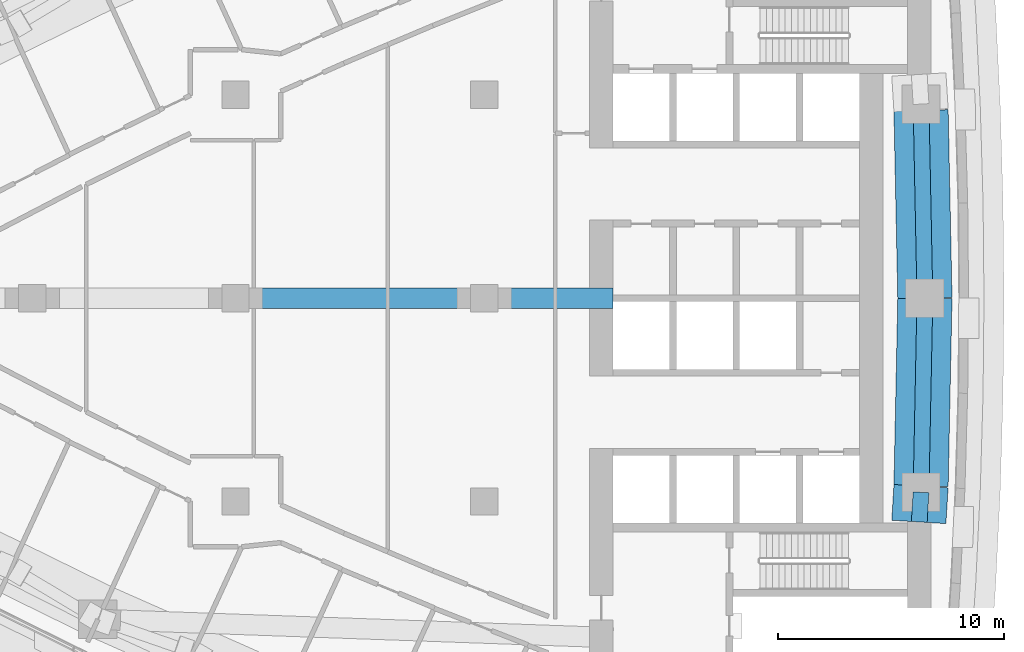
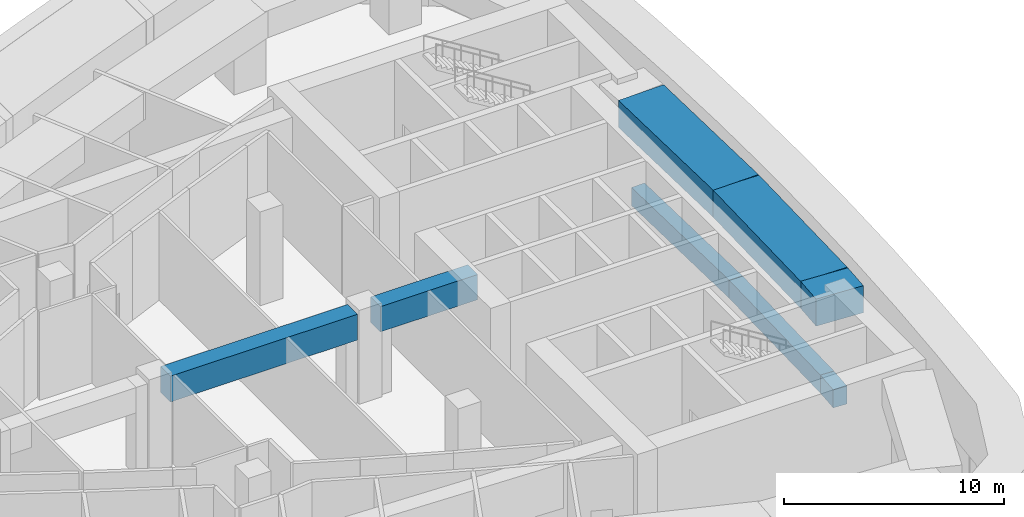
# One storey, part 5 of 19: 8 beams.
"""IFC4 building model written with IfcOpenShell, lengths in metres."""

from ifc_helpers import new_model, si_unit, direction, frame, origin, origin_2d, place, context, subcontext, project, spatial, rectangle, extrude, material, material_profile, profile_set, type_object, element, save


model = new_model("IFC4")

# Units and contexts
model_context = context("Model", 3, precision=1e-05, world=origin(), true_north=direction((0.0, 1.0)))
body_context = subcontext(model_context, "Body", "Model", "MODEL_VIEW")
ifc_project = project(units=[si_unit("LENGTHUNIT", "METRE"), si_unit("AREAUNIT", "SQUARE_METRE"), si_unit("VOLUMEUNIT", "CUBIC_METRE"), si_unit("PLANEANGLEUNIT", "RADIAN"), si_unit("MASSUNIT", "GRAM", prefix="KILO")], contexts=[model_context])

# Site, building, storey
site_placement = place(None, origin())
site = spatial("IfcSite", under=ifc_project, at=site_placement, CompositionType="ELEMENT")
building_placement = place(site_placement, origin())
building = spatial("IfcBuilding", under=site, at=building_placement, Name="Ostrand Prow Hotel Tower", CompositionType="ELEMENT")
storey_placement = place(building_placement, frame((0.0, 0.0, 120.39990234375)))
storey = spatial("IfcBuildingStorey", under=building, at=storey_placement, Name="L29", CompositionType="ELEMENT", Elevation=120.39990234375)

# Beams
ifc_material_1 = material(Name="Concrete C80/95", Category="concrete")
ifc_material_profile_1 = material_profile(ifc_material_1, rectangle(XDim=2.39990234375, YDim=1.5, at=origin_2d()), Name="RC 2400x1500")
ifc_profile_set_1 = profile_set([ifc_material_profile_1], Name="Concrete C80/95")
beam_type_1 = type_object("IfcBeamType", Name="Belt girder 2400x1500 C80/95", PredefinedType="BEAM", material=ifc_profile_set_1)
beam_1_placement = place(storey_placement, frame((64.231689453125, -9.89990234375, 4.150146484375), z_axis=(0.061563802627, 0.998103150083, 0.0), x_axis=(-0.998103150083, 0.061563802627, 0.0)))
element("IfcBeam", 1, at=beam_1_placement, inside=storey, type_object=beam_type_1, Name="Belt girder B1-B2", PredefinedType="BEAM", context=body_context, shape_type="SweptSolid", body=[
    extrude(rectangle(XDim=2.39990234375, YDim=1.5, at=origin_2d()), origin(), (0.0, 0.0, 1.0), 1.586181640625),
])
for number, where, z_axis, x_axis, name in (
    (2, (64.329345703125, -8.316650390625, 4.150146484375), (0.020515276329, 0.999789539572, 0.0), (-0.999789539572, 0.020515276329, 0.0), "Belt girder B2-B3"),
    (3, (64.5, 0.0, 4.150146484375), (-0.020515276329, 0.999789539572, 0.0), (-0.999789539572, -0.020515276329, 0.0), "Belt girder B3-B4"),
):
    element("IfcBeam", number, at=place(storey_placement, frame(where, z_axis=z_axis, x_axis=x_axis)), inside=storey, type_object=beam_type_1, Name=name, PredefinedType="BEAM", context=body_context, shape_type="SweptSolid", body=[
        extrude(rectangle(XDim=2.39990234375, YDim=1.5, at=origin_2d()), origin(), (0.0, 0.0, 1.0), 8.318359375),
    ])
ifc_material_2 = material(Name="Concrete C80/95", Category="concrete")
ifc_material_profile_2 = material_profile(ifc_material_2, rectangle(XDim=0.699951171875, YDim=1.0, at=origin_2d()), Name="RC 700x1000")
ifc_profile_set_2 = profile_set([ifc_material_profile_2], Name="Concrete C80/95")
beam_type_2 = type_object("IfcBeamType", Name="Edge beam 700x1000 C80/95", PredefinedType="SPANDREL", material=ifc_profile_set_2)
beam_2_placement = place(storey_placement, frame((64.25048828125, -9.89990234375, -0.89990234375), z_axis=(0.059658953766, 0.998218818314, 0.0), x_axis=(-0.998218818314, 0.059658953766, 0.0)))
element("IfcBeam", 4, at=beam_2_placement, inside=storey, type_object=beam_type_2, Name="Edge beam B1-B2", PredefinedType="SPANDREL", context=body_context, shape_type="SweptSolid", body=[
    extrude(rectangle(XDim=0.699951171875, YDim=1.0, at=origin_2d()), origin(), (0.0, 0.0, 1.0), 1.313720703125),
])
for number, where, z_axis, x_axis, name in (
    (5, (64.328857421875, -8.588623046875, -0.89990234375), (0.019922705812, 0.9998015232, 0.0), (-0.9998015232, 0.019922705812, 0.0), "Edge beam B2-B3"),
    (6, (64.5, 0.0, -0.89990234375), (-0.019922705812, 0.9998015232, 0.0), (-0.9998015232, -0.019922705812, 0.0), "Edge beam B3-B4"),
):
    element("IfcBeam", number, at=place(storey_placement, frame(where, z_axis=z_axis, x_axis=x_axis)), inside=storey, type_object=beam_type_2, Name=name, PredefinedType="SPANDREL", context=body_context, shape_type="SweptSolid", body=[
        extrude(rectangle(XDim=0.699951171875, YDim=1.0, at=origin_2d()), origin(), (0.0, 0.0, 1.0), 8.59033203125),
    ])
ifc_material_3 = material(Name="Concrete C80/95", Category="concrete")
ifc_material_profile_3 = material_profile(ifc_material_3, rectangle(XDim=0.89990234375, YDim=1.39990234375, at=origin_2d()), Name="RC 900x1400")
ifc_profile_set_3 = profile_set([ifc_material_profile_3], Name="Concrete C80/95")
beam_type_3 = type_object("IfcBeamType", Name="Outrigger lintel 900x1400 C80/95", PredefinedType="LINTEL", material=ifc_profile_set_3)
beam_3_placement = place(storey_placement, frame((45.60009765625, 0.0, 4.2001953125), z_axis=(1.0, 0.0, 0.0), x_axis=(0.0, 1.0, 0.0)))
element("IfcBeam", 7, at=beam_3_placement, inside=storey, type_object=beam_type_3, Name="Outrigger lintel A5", PredefinedType="LINTEL", context=body_context, shape_type="SweptSolid", body=[
    extrude(rectangle(XDim=0.89990234375, YDim=1.39990234375, at=origin_2d()), origin(), (0.0, 0.0, 1.0), 5.099853515625),
])
ifc_material_4 = material(Name="Concrete C80/95", Category="concrete")
ifc_material_profile_4 = material_profile(ifc_material_4, rectangle(XDim=0.89990234375, YDim=1.429931640625, at=origin_2d()), Name="RC 900x1430")
ifc_profile_set_4 = profile_set([ifc_material_profile_4], Name="Concrete C80/95")
beam_type_4 = type_object("IfcBeamType", Name="Outrigger lintel 900x1430 C80/95", PredefinedType="LINTEL", material=ifc_profile_set_4)
beam_4_placement = place(storey_placement, frame((34.60009765625, 0.0, 4.18505859375), z_axis=(1.0, 0.0, 0.0), x_axis=(0.0, 1.0, 0.0)))
element("IfcBeam", 8, at=beam_4_placement, inside=storey, type_object=beam_type_4, Name="Outrigger lintel A4", PredefinedType="LINTEL", context=body_context, shape_type="SweptSolid", body=[
    extrude(rectangle(XDim=0.89990234375, YDim=1.429931640625, at=origin_2d()), origin(), (0.0, 0.0, 1.0), 9.7998046875),
])

save(model, "model.ifc")
